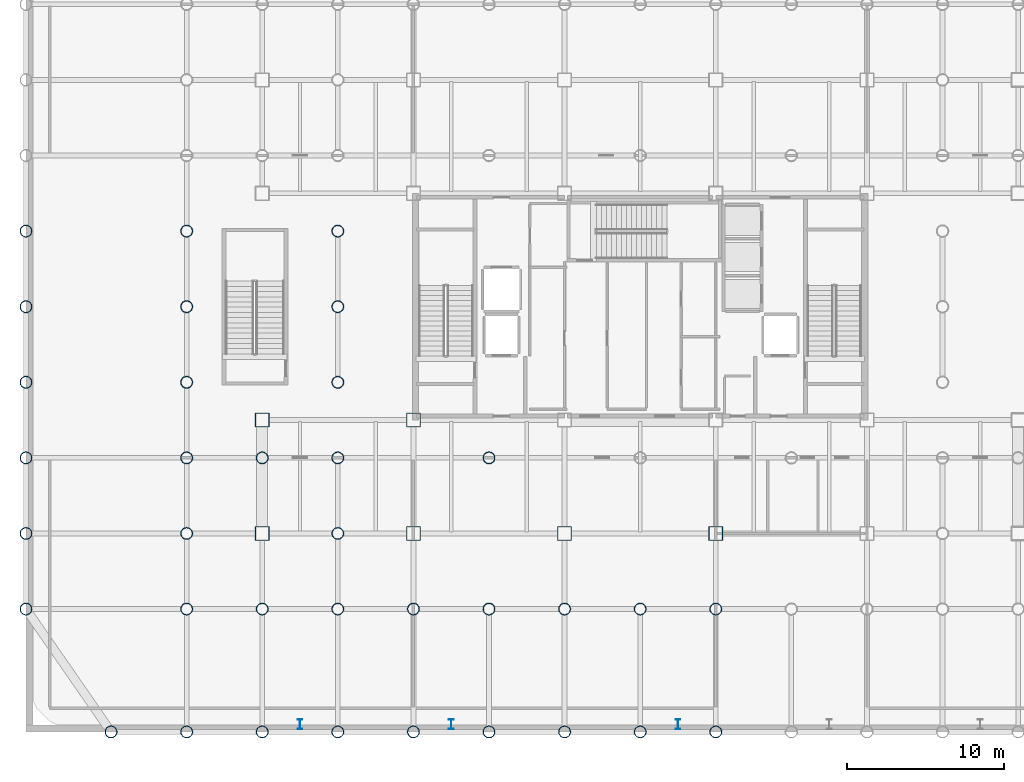
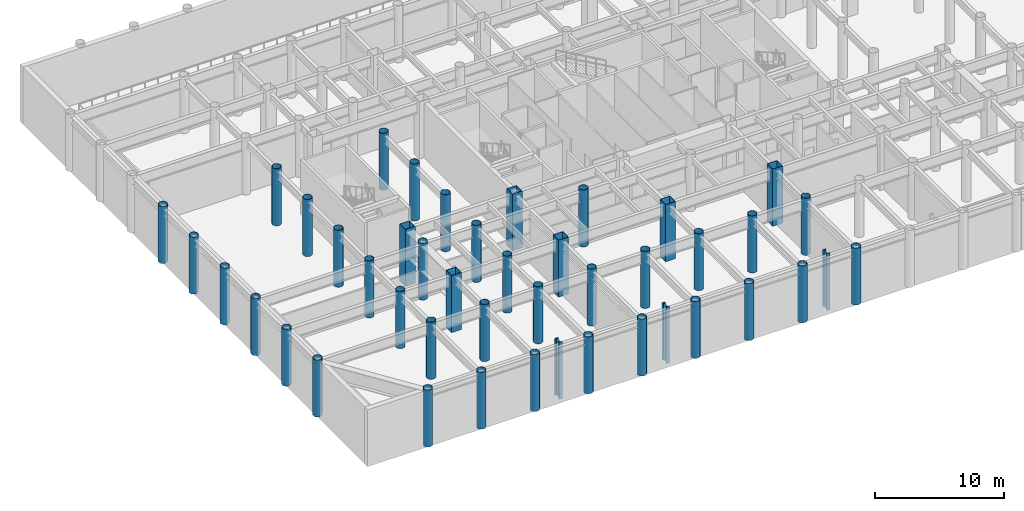
# One storey, part 1 of 16: 44 columns.
"""IFC4 building model written with IfcOpenShell, lengths in metres."""

import ifcopenshell
import ifcopenshell.guid

model = None  # the IFC model being written
_history = None  # IfcOwnerHistory: only IFC2X3 demands one
_inside = {}  # id of a spatial element -> (the spatial element, [elements in it])
_under = {}  # id of a project, library or spatial element -> (it, [spatial elements below it])
_declared = {}  # id of a project -> (the project, [libraries it declares])
_typed = {}  # id of a type object -> (the type object, [elements of that type])
_made_of = {}  # id of a material, layer set ... -> (it, [elements and type objects made of it])


def new_model(schema):
    """Start an empty IFC model of exactly this schema.

    Asked for "IFC4X3", IfcOpenShell would pick the latest addendum, in which some entities
    have other attributes; the version numbers below select the first issue.
    IFC2X3 requires an IfcOwnerHistory on every rooted entity: one is made here for all.
    """
    global model, _history
    if schema == "IFC4X3":
        model = ifcopenshell.file(schema_version=(4, 3, 0, 0))
    else:
        model = ifcopenshell.file(schema=schema)
    _inside.clear()
    _under.clear()
    _declared.clear()
    _typed.clear()
    _made_of.clear()
    _history = None
    if model.schema == "IFC2X3":
        org = make("IfcOrganization", Name="unknown")
        user = make(
            "IfcPersonAndOrganization",
            ThePerson=make("IfcPerson", FamilyName="unknown"),
            TheOrganization=org,
        )
        app = make(
            "IfcApplication",
            ApplicationDeveloper=org,
            Version="unknown",
            ApplicationFullName="unknown",
            ApplicationIdentifier="unknown",
        )
        _history = make(
            "IfcOwnerHistory",
            OwningUser=user,
            OwningApplication=app,
            ChangeAction="ADDED",
            CreationDate=0,
        )
    return model


def make(cls, **values):
    """One entity of the class cls with the attributes given. An attribute that is None is left unset."""
    return model.create_entity(
        cls, **{name: value for name, value in values.items() if value is not None}
    )


def rooted(cls, **values):
    """An entity with a GlobalId (a new one), such as an element, a storey or a relation."""
    return make(cls, GlobalId=ifcopenshell.guid.new(), OwnerHistory=_history, **values)


def si_unit(unit_type, name, prefix=None):
    """IfcSIUnit, for example si_unit("LENGTHUNIT", "METRE", prefix="MILLI")."""
    return make("IfcSIUnit", UnitType=unit_type, Prefix=prefix, Name=name)


def assignment(units):
    """IfcUnitAssignment: the units of a project."""
    return None if units is None else make("IfcUnitAssignment", Units=units)


def point(xyz):
    """IfcCartesianPoint."""
    return None if xyz is None else make("IfcCartesianPoint", Coordinates=xyz)


def direction(xyz):
    """IfcDirection."""
    return None if xyz is None else make("IfcDirection", DirectionRatios=xyz)


def frame(location, z_axis=None, x_axis=None):
    """IfcAxis2Placement3D, a coordinate frame: its origin and axes. An axis left out is left unset."""
    return make(
        "IfcAxis2Placement3D",
        Location=point(location),
        Axis=direction(z_axis),
        RefDirection=direction(x_axis),
    )


def frame_2d(location, x_axis=None):
    """IfcAxis2Placement2D, a coordinate frame in the plane: its origin and x axis."""
    return make(
        "IfcAxis2Placement2D", Location=point(location), RefDirection=direction(x_axis)
    )


def origin():
    """The frame at (0, 0, 0) with its axes left unset."""
    return frame((0.0, 0.0, 0.0))


def origin_2d():
    """The frame at (0, 0) in the plane with its x axis left unset."""
    return frame_2d((0.0, 0.0))


def place(relative_to, where):
    """IfcLocalPlacement: puts the frame where relative to a parent placement (None: the world)."""
    return make(
        "IfcLocalPlacement", PlacementRelTo=relative_to, RelativePlacement=where
    )


def context(
    kind, dimensions, precision=None, world=None, true_north=None, identifier=None
):
    """IfcGeometricRepresentationContext, for example the 3D "Model" context."""
    return make(
        "IfcGeometricRepresentationContext",
        ContextIdentifier=identifier,
        ContextType=kind,
        CoordinateSpaceDimension=dimensions,
        Precision=precision,
        WorldCoordinateSystem=world,
        TrueNorth=true_north,
    )


def subcontext(parent, identifier, kind, view, scale=None):
    """IfcGeometricRepresentationSubContext, for example "Body" below "Model"."""
    return make(
        "IfcGeometricRepresentationSubContext",
        ContextIdentifier=identifier,
        ContextType=kind,
        ParentContext=parent,
        TargetScale=scale,
        TargetView=view,
    )


def project(units=None, contexts=None):
    """IfcProject with its units and contexts."""
    return rooted(
        "IfcProject",
        Name="project",
        RepresentationContexts=contexts,
        UnitsInContext=assignment(units),
    )


def spatial(cls, under=None, at=None, **own):
    """A site, building, storey or space (cls), placed at a placement, below another one or the project."""
    s = rooted(cls, ObjectPlacement=at, **own)
    if under is not None:
        _under.setdefault(under.id(), (under, []))[1].append(s)
    return s


def profile(cls, at=None, kind="AREA", **sizes):
    """A parametric profile (cls). Its sizes go by their IFC names, for example OverallWidth=200.0."""
    return make(cls, ProfileType=kind, Position=at, **sizes)


def hollow_rectangle(**sizes):
    """IfcRectangleHollowProfileDef."""
    return profile("IfcRectangleHollowProfileDef", **sizes)


def hollow_circle(**sizes):
    """IfcCircleHollowProfileDef."""
    return profile("IfcCircleHollowProfileDef", **sizes)


def i_section(**sizes):
    """IfcIShapeProfileDef."""
    return profile("IfcIShapeProfileDef", **sizes)


def extrude(swept, where, along, depth):
    """IfcExtrudedAreaSolid: the profile swept, set in the frame where, extruded along a direction by depth."""
    return make(
        "IfcExtrudedAreaSolid",
        SweptArea=swept,
        Position=where,
        ExtrudedDirection=direction(along),
        Depth=depth,
    )


def shape(context_of_items, identifier, shape_type, items):
    """IfcShapeRepresentation: the items that make up one representation, for example the "Body"."""
    return make(
        "IfcShapeRepresentation",
        ContextOfItems=context_of_items,
        RepresentationIdentifier=identifier,
        RepresentationType=shape_type,
        Items=items,
    )


def material(Name=None, Category=None):
    """IfcMaterial."""
    return make("IfcMaterial", Name=Name, Category=Category)


def material_profile(
    of_material, cross_section, Name=None, Category=None, Priority=None
):
    """IfcMaterialProfile: a cross section and its material."""
    return make(
        "IfcMaterialProfile",
        Name=Name,
        Material=of_material,
        Profile=cross_section,
        Priority=Priority,
        Category=Category,
    )


def profile_set(profiles, Name=None, composite=None):
    """IfcMaterialProfileSet."""
    return make(
        "IfcMaterialProfileSet",
        Name=Name,
        MaterialProfiles=profiles,
        CompositeProfile=composite,
    )


def made_of(thing, what):
    """Note that an element or type object is made of a material, layer set ...; save() writes the relation."""
    if what is not None:
        _made_of.setdefault(what.id(), (what, []))[1].append(thing)
    return thing


def type_object(cls, material=None, **own):
    """A type object (cls), such as IfcWallType, which elements share."""
    return made_of(rooted(cls, **own), material)


def element(
    cls,
    number,
    at=None,
    inside=None,
    cuts=None,
    type_object=None,
    material=None,
    context=None,
    identifier="Body",
    shape_type=None,
    held_by="IfcProductDefinitionShape",
    body=None,
    shapes=None,
    **own,
):
    """One element of the class cls, such as IfcWall. Its Tag is "e" and its number.

    at: its placement. inside: the storey or other place that contains it. cuts: it is an
    opening in that element (IfcRelVoidsElement). A single representation is given by context,
    identifier, shape_type and body (its items); several are given by shapes. held_by: the class
    of the entity that holds the representations. save() writes the other relations.
    """
    e = rooted(cls, Tag="e%d" % number, ObjectPlacement=at, **own)
    if body is not None:
        shapes = [shape(context, identifier, shape_type, body)]
    if shapes is not None:
        e.Representation = make(held_by, Representations=shapes)
    if inside is not None:
        _inside.setdefault(inside.id(), (inside, []))[1].append(e)
    if cuts is not None:
        rooted(
            "IfcRelVoidsElement", RelatingBuildingElement=cuts, RelatedOpeningElement=e
        )
    if type_object is not None:
        _typed.setdefault(type_object.id(), (type_object, []))[1].append(e)
    return made_of(e, material)


def aggregate(whole, parts):
    """IfcRelAggregates: a whole, such as a stair, and the parts it consists of."""
    return rooted("IfcRelAggregates", RelatingObject=whole, RelatedObjects=parts)


def save(model, path):
    """Write the relations noted so far, then the file.

    IfcRelAggregates (storeys below a building ...), IfcRelContainedInSpatialStructure (elements
    in a storey), IfcRelDefinesByType, IfcRelAssociatesMaterial and IfcRelDeclares: one each for
    every whole, place, type object, material and project.
    """
    for whole, parts in _under.values():
        aggregate(whole, parts)
    for where, things in _inside.values():
        rooted(
            "IfcRelContainedInSpatialStructure",
            RelatedElements=things,
            RelatingStructure=where,
        )
    for kind, things in _typed.values():
        rooted("IfcRelDefinesByType", RelatedObjects=things, RelatingType=kind)
    for what, things in _made_of.values():
        rooted("IfcRelAssociatesMaterial", RelatedObjects=things, RelatingMaterial=what)
    for by, libraries in _declared.values():
        rooted("IfcRelDeclares", RelatingContext=by, RelatedDefinitions=libraries)
    model.write(path)


model = new_model("IFC4")

# Units and contexts
model_context = context("Model", 3, precision=1e-05, world=origin(), true_north=direction((0.0, 1.0)))
body_context = subcontext(model_context, "Body", "Model", "MODEL_VIEW")
ifc_project = project(units=[si_unit("LENGTHUNIT", "METRE"), si_unit("AREAUNIT", "SQUARE_METRE"), si_unit("VOLUMEUNIT", "CUBIC_METRE"), si_unit("PLANEANGLEUNIT", "RADIAN"), si_unit("MASSUNIT", "GRAM", prefix="KILO")], contexts=[model_context])

# Site, building, storey
site_placement = place(None, origin())
site = spatial("IfcSite", under=ifc_project, at=site_placement, CompositionType="ELEMENT")
building_placement = place(site_placement, origin())
building = spatial("IfcBuilding", under=site, at=building_placement, Name="Kallvorn Hotel Tower", CompositionType="ELEMENT")
storey_placement = place(building_placement, frame((0.0, 0.0, -5.39990234375)))
storey = spatial("IfcBuildingStorey", under=building, at=storey_placement, Name="B1", CompositionType="ELEMENT", Elevation=-5.39990234375)

# Columns
ifc_material_1 = material(Name="Structural steel S355J2H", Category="steel")
ifc_material_profile_1 = material_profile(ifc_material_1, hollow_circle(Radius=0.381103515625, WallThickness=0.031982421875, at=origin_2d()), Name="CHS 762x32")
ifc_profile_set_1 = profile_set([ifc_material_profile_1], Name="Structural steel S355J2H")
column_type_1 = type_object("IfcColumnType", Name="COL_CHS_762", PredefinedType="COLUMN", material=ifc_profile_set_1)
for number, where, z_axis, x_axis, name in (
    (1, (-39.0, -19.199951171875, 0.0), (0.0, 0.0, 1.0), (1.0, 0.0, 0.0), "B1 Exoskeleton Column EC01"),
    (2, (-39.0, -14.39990234375, 0.0), (0.0, 0.0, 1.0), (1.0, 0.0, 0.0), "B1 Exoskeleton Column EC02"),
    (3, (-39.0, -9.60009765625, 0.0), (0.0, 0.0, 1.0), (1.0, 0.0, 0.0), "B1 Exoskeleton Column EC03"),
    (4, (-39.0, -4.800048828125, 0.0), (0.0, 0.0, 1.0), (1.0, 0.0, 0.0), "B1 Exoskeleton Column EC04"),
    (5, (-39.0, 0.0, 0.0), (0.0, 0.0, 1.0), (1.0, 0.0, 0.0), "B1 Exoskeleton Column EC05"),
    (6, (-39.0, 4.800048828125, 0.0), (0.0, 0.0, 1.0), (1.0, 0.0, 0.0), "B1 Exoskeleton Column EC06"),
    (7, (-33.60009765625, -27.0, 0.0), (0.0, 0.0, 1.0), (1.0, 0.0, 0.0), "B1 Exoskeleton Column EC10"),
    (8, (-28.800048828125, -27.0, 0.0), (0.0, 0.0, 1.0), (1.0, 0.0, 0.0), "B1 Exoskeleton Column EC12"),
    (9, (-28.800048828125, -19.199951171875, 0.0), (0.0, 0.0, 1.0), (1.0, 0.0, 0.0), "B1 Exoskeleton Column EC13"),
    (10, (-28.800048828125, -14.39990234375, 0.0), (0.0, 0.0, 1.0), (1.0, 0.0, 0.0), "B1 Exoskeleton Column EC14"),
    (11, (-28.800048828125, -9.60009765625, 0.0), (0.0, 0.0, 1.0), (1.0, 0.0, 0.0), "B1 Exoskeleton Column EC15"),
    (12, (-28.800048828125, -4.800048828125, 0.0), (0.0, 0.0, 1.0), (1.0, 0.0, 0.0), "B1 Exoskeleton Column EC16"),
    (13, (-28.800048828125, 0.0, 0.0), (0.0, 0.0, 1.0), (1.0, 0.0, 0.0), "B1 Exoskeleton Column EC17"),
    (14, (-28.800048828125, 4.800048828125, 0.0), (0.0, 0.0, 1.0), (1.0, 0.0, 0.0), "B1 Exoskeleton Column EC18"),
    (15, (-24.0, -27.0, 0.0), (0.0, 0.0, 1.0), (1.0, 0.0, 0.0), "B1 Exoskeleton Column EC23"),
    (16, (-24.0, -19.199951171875, 0.0), (0.0, 0.0, 1.0), (1.0, 0.0, 0.0), "B1 Exoskeleton Column EC24"),
    (17, (-24.0, -9.60009765625, 0.0), (0.0, 0.0, 1.0), (1.0, 0.0, 0.0), "B1 Exoskeleton Column EC25"),
    (18, (-19.199951171875, -27.0, 0.0), (0.0, 0.0, 1.0), (1.0, 0.0, 0.0), "B1 Exoskeleton Column EC29"),
    (19, (-19.199951171875, -19.199951171875, 0.0), (0.0, 0.0, 1.0), (1.0, 0.0, 0.0), "B1 Exoskeleton Column EC30"),
    (20, (-19.199951171875, -14.39990234375, 0.0), (0.0, 0.0, 1.0), (1.0, 0.0, 0.0), "B1 Exoskeleton Column EC31"),
    (21, (-19.199951171875, -9.60009765625, 0.0), (0.0, 0.0, 1.0), (1.0, 0.0, 0.0), "B1 Exoskeleton Column EC32"),
    (22, (-19.199951171875, -4.800048828125, 0.0), (0.0, 0.0, 1.0), (1.0, 0.0, 0.0), "B1 Exoskeleton Column EC33"),
    (23, (-19.199951171875, 0.0, 0.0), (0.0, 0.0, 1.0), (1.0, 0.0, 0.0), "B1 Exoskeleton Column EC34"),
    (24, (-19.199951171875, 4.800048828125, 0.0), (0.0, 0.0, 1.0), (1.0, 0.0, 0.0), "B1 Exoskeleton Column EC35"),
    (25, (-14.39990234375, -27.0, 0.0), (0.0, 0.0, 1.0), (1.0, 0.0, 0.0), "B1 Exoskeleton Column EC40"),
    (26, (-14.39990234375, -19.199951171875, 0.0), (0.0, 0.0, 1.0), (1.0, 0.0, 0.0), "B1 Exoskeleton Column EC41"),
    (27, (-9.60009765625, -27.0, 0.0), (0.0, 0.0, 1.0), (1.0, 0.0, 0.0), "B1 Exoskeleton Column EC44"),
    (28, (-9.60009765625, -19.199951171875, 0.0), (0.0, 0.0, 1.0), (1.0, 0.0, 0.0), "B1 Exoskeleton Column EC45"),
    (29, (-9.60009765625, -9.60009765625, 0.0), (0.0, 0.0, 1.0), (1.0, 0.0, 0.0), "B1 Exoskeleton Column EC46"),
    (30, (-4.800048828125, -27.0, 0.0), (0.0, 0.0, 1.0), (1.0, 0.0, 0.0), "B1 Exoskeleton Column EC50"),
    (31, (-4.800048828125, -19.199951171875, 0.0), (0.0, 0.0, 1.0), (1.0, 0.0, 0.0), "B1 Exoskeleton Column EC51"),
    (32, (0.0, -27.0, 0.0), (0.0, 0.0, 1.0), (1.0, 0.0, 0.0), "B1 Exoskeleton Column EC54"),
    (33, (0.0, -19.199951171875, 0.0), (0.0, 0.0, 1.0), (1.0, 0.0, 0.0), "B1 Exoskeleton Column EC55"),
    (34, (4.800048828125, -27.0, 0.0), (0.0, 0.0, 1.0), (1.0, 0.0, 0.0), "B1 Exoskeleton Column EC60"),
    (35, (4.800048828125, -19.199951171875, 0.0), (0.0, 0.0, 1.0), (1.0, 0.0, 0.0), "B1 Exoskeleton Column EC61"),
):
    element("IfcColumn", number, at=place(storey_placement, frame(where, z_axis=z_axis, x_axis=x_axis)), inside=storey, type_object=column_type_1, Name=name, PredefinedType="COLUMN", context=body_context, shape_type="SweptSolid", body=[
        extrude(hollow_circle(Radius=0.381103515625, WallThickness=0.031982421875, at=origin_2d()), origin(), (0.0, 0.0, 1.0), 5.39990234375),
    ])
ifc_material_2 = material(Name="Structural steel S355J2H", Category="steel")
ifc_material_profile_2 = material_profile(ifc_material_2, hollow_rectangle(XDim=0.89990234375, YDim=0.89990234375, WallThickness=0.0400390625, at=origin_2d()), Name="RHS 900x900x40")
ifc_profile_set_2 = profile_set([ifc_material_profile_2], Name="Structural steel S355J2H")
column_type_2 = type_object("IfcColumnType", Name="COL_RHS_900", PredefinedType="COLUMN", material=ifc_profile_set_2)
for number, where, z_axis, x_axis, name in (
    (36, (-24.0, -14.39990234375, 0.0), (0.0, 0.0, 1.0), (1.0, 0.0, 0.0), "B1 Inner Column IC01"),
    (37, (-24.0, -7.199951171875, 0.0), (0.0, 0.0, 1.0), (1.0, 0.0, 0.0), "B1 Inner Column IC02"),
    (38, (-14.39990234375, -14.39990234375, 0.0), (0.0, 0.0, 1.0), (1.0, 0.0, 0.0), "B1 Inner Column IC05"),
    (39, (-14.39990234375, -7.199951171875, 0.0), (0.0, 0.0, 1.0), (1.0, 0.0, 0.0), "B1 Inner Column IC06"),
    (40, (-4.800048828125, -14.39990234375, 0.0), (0.0, 0.0, 1.0), (1.0, 0.0, 0.0), "B1 Inner Column IC09"),
    (41, (4.800048828125, -14.39990234375, 0.0), (0.0, 0.0, 1.0), (1.0, 0.0, 0.0), "B1 Inner Column IC13"),
):
    element("IfcColumn", number, at=place(storey_placement, frame(where, z_axis=z_axis, x_axis=x_axis)), inside=storey, type_object=column_type_2, Name=name, PredefinedType="COLUMN", context=body_context, shape_type="SweptSolid", body=[
        extrude(hollow_rectangle(XDim=0.89990234375, YDim=0.89990234375, WallThickness=0.0400390625, at=origin_2d()), origin(), (0.0, 0.0, 1.0), 5.39990234375),
    ])
ifc_material_3 = material(Name="Structural steel S355JR", Category="steel")
ifc_material_profile_3 = material_profile(ifc_material_3, i_section(OverallWidth=0.300048828125, OverallDepth=0.64990234375, WebThickness=0.01611328125, FlangeThickness=0.031005859375, at=origin_2d()), Name="HE 650 B")
ifc_profile_set_3 = profile_set([ifc_material_profile_3], Name="Structural steel S355JR")
column_type_3 = type_object("IfcColumnType", Name="PILASTER_HE650B", PredefinedType="PILASTER", material=ifc_profile_set_3)
for number, where, z_axis, x_axis, name in (
    (42, (-21.60009765625, -26.52001953125, 0.0), (0.0, 0.0, 1.0), (1.0, 0.0, 0.0), "B1 Chicago Colonnade Pilaster 01"),
    (43, (-12.0, -26.52001953125, 0.0), (0.0, 0.0, 1.0), (1.0, 0.0, 0.0), "B1 Chicago Colonnade Pilaster 02"),
    (44, (2.39990234375, -26.52001953125, 0.0), (0.0, 0.0, 1.0), (1.0, 0.0, 0.0), "B1 Chicago Colonnade Pilaster 03"),
):
    element("IfcColumn", number, at=place(storey_placement, frame(where, z_axis=z_axis, x_axis=x_axis)), inside=storey, type_object=column_type_3, Name=name, PredefinedType="PILASTER", context=body_context, shape_type="SweptSolid", body=[
        extrude(i_section(OverallWidth=0.300048828125, OverallDepth=0.64990234375, WebThickness=0.01611328125, FlangeThickness=0.031005859375, at=origin_2d()), origin(), (0.0, 0.0, 1.0), 5.39990234375),
    ])

save(model, "model.ifc")
